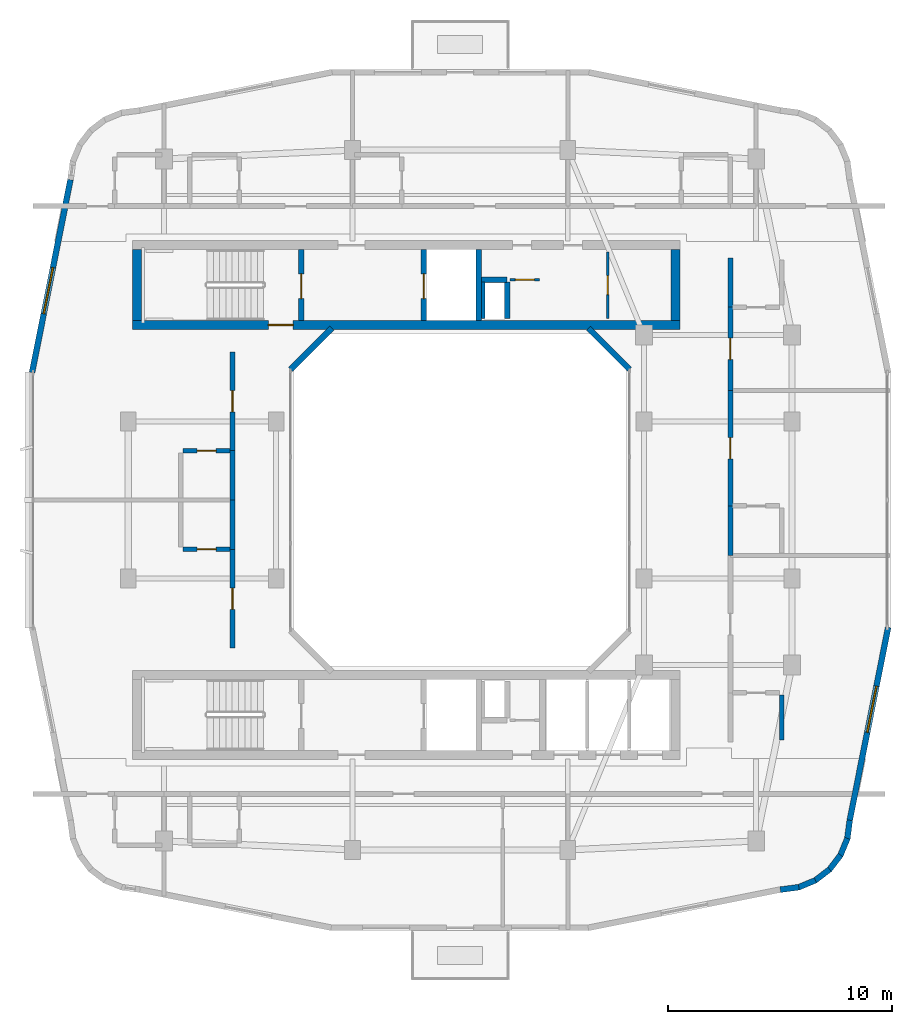
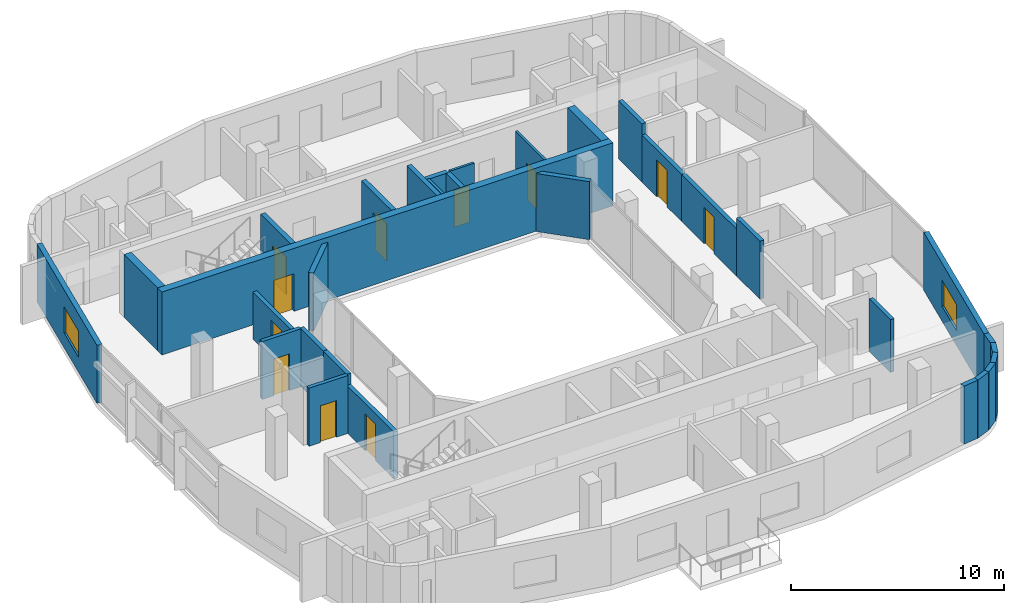
# One storey, part 7 of 13: 32 walls, 11 doors, 2 windows, 13 openings.
"""IFC4 building model written with IfcOpenShell, lengths in metres."""

from ifc_helpers import new_model, si_unit, derived_unit, direction, frame, frame_2d, origin, place, context, subcontext, project, spatial, rectangle, extrude, material, layer, layer_set, type_object, element, fill, save


model = new_model("IFC4")

# Units and contexts
model_context = context("Model", 3, precision=1e-05, world=origin(), true_north=direction((0.0, 1.0)))
body_context = subcontext(model_context, "Body", "Model", "MODEL_VIEW")
ifc_project = project(units=[si_unit("LENGTHUNIT", "METRE"), si_unit("AREAUNIT", "SQUARE_METRE"), si_unit("VOLUMEUNIT", "CUBIC_METRE"), si_unit("PLANEANGLEUNIT", "RADIAN"), si_unit("MASSUNIT", "GRAM", prefix="KILO"), derived_unit("THERMALTRANSMITTANCEUNIT", [(si_unit("POWERUNIT", "WATT"), 1), (si_unit("LENGTHUNIT", "METRE"), -2), (si_unit("THERMODYNAMICTEMPERATUREUNIT", "KELVIN"), -1)])], contexts=[model_context])

# Site, building, storey
site_placement = place(None, origin())
site = spatial("IfcSite", under=ifc_project, at=site_placement, CompositionType="ELEMENT")
building_placement = place(site_placement, origin())
building = spatial("IfcBuilding", under=site, at=building_placement, Name="Kivonza Crest Hotel", CompositionType="ELEMENT")
storey_placement = place(building_placement, frame((0.0, 0.0, 220.699951171875)))
storey = spatial("IfcBuildingStorey", under=building, at=storey_placement, Name="L60", CompositionType="ELEMENT", Elevation=220.699951171875)

# Wall
ifc_material_1 = material(Name="Autoclaved aerated concrete blockwork", Category="masonry")
ifc_layer_1 = layer(ifc_material_1, 0.219970703125)
ifc_layer_set_1 = layer_set([ifc_layer_1], Name="Autoclaved aerated concrete blockwork")
wall_type_1 = type_object("IfcWallType", Name="WL-ACOU-220", PredefinedType="SOLIDWALL", material=ifc_layer_set_1)
wall_1_placement = place(storey_placement, frame((10.85009765625, 22.800048828125, 0.0), z_axis=(0.0, 0.0, 1.0), x_axis=(0.0, 1.0, 0.0)))
element("IfcWall", 1, at=wall_1_placement, inside=storey, type_object=wall_type_1, Name="L60 interior partition WA-L60-W07-BCORR", PredefinedType="SOLIDWALL", context=body_context, shape_type="SweptSolid", body=[
    extrude(rectangle(XDim=2.199951171875, YDim=0.219970703125, at=frame_2d((1.10009765625, 0.0))), origin(), (0.0, 0.0, 1.0), 3.320068359375),
])

# Wall, opening, door
wall_2_placement = place(storey_placement, frame((10.85009765625, 18.39990234375, 0.0), z_axis=(0.0, 0.0, 1.0), x_axis=(0.0, 1.0, 0.0)))
wall_2 = element("IfcWall", 2, at=wall_2_placement, inside=storey, type_object=wall_type_1, Name="L60 interior partition WA-L60-W07-MCORR", PredefinedType="SOLIDWALL", context=body_context, shape_type="SweptSolid", body=[
    extrude(rectangle(XDim=4.400146484375, YDim=0.219970703125, at=frame_2d((2.2001953125, 0.0))), origin(), (0.0, 0.0, 1.0), 2.695068359375),
])
opening_1_placement = place(wall_2_placement, frame((1.72509765625, 0.0, 0.0)))
opening_1 = element("IfcOpeningElement", 3, at=opening_1_placement, cuts=wall_2, Name="Opening DU-60", PredefinedType="OPENING", context=body_context, shape_type="SweptSolid", body=[
    extrude(rectangle(XDim=0.949951171875, YDim=2.10009765625, at=frame_2d((0.47509765625, 1.050048828125))), frame((0.0, 0.1201171875, 0.0), z_axis=(0.0, -1.0, 0.0), x_axis=(1.0, 0.0, 0.0)), (0.0, 0.0, 1.0), 0.239990234375),
])
ifc_material_2 = material(Name="Hardwood timber oak", Category="wood")
door_type_1 = type_object("IfcDoorType", Name="DR-UNIT-950", OperationType="NOTDEFINED", PredefinedType="DOOR", material=ifc_material_2)
door_1_placement = place(opening_1_placement, origin())
door_1 = element("IfcDoor", 4, at=door_1_placement, inside=storey, type_object=door_type_1, Name="L60 W07 guest unit entrance fire door", OperationType="SINGLE_SWING_LEFT", OverallHeight=2.10009765625, OverallWidth=0.949951171875, PredefinedType="DOOR", context=body_context, shape_type="SweptSolid", body=[
    extrude(rectangle(XDim=0.949951171875, YDim=2.10009765625, at=frame_2d((0.47509765625, 1.050048828125))), frame((0.0, 0.02490234375, 0.0), z_axis=(0.0, -1.0, 0.0), x_axis=(1.0, 0.0, 0.0)), (0.0, 0.0, 1.0), 0.050048828125),
])
fill(opening_1, door_1)

# Wall
wall_3_placement = place(storey_placement, frame((10.85009765625, 25.0, 0.0), z_axis=(0.0, 0.0, 1.0), x_axis=(0.0, 1.0, 0.0)))
element("IfcWall", 5, at=wall_3_placement, inside=storey, type_object=wall_type_1, Name="L60 interior partition WA-L60-W08-BCORR", PredefinedType="SOLIDWALL", context=body_context, shape_type="SweptSolid", body=[
    extrude(rectangle(XDim=2.199951171875, YDim=0.219970703125, at=frame_2d((1.10009765625, 0.0))), origin(), (0.0, 0.0, 1.0), 3.320068359375),
])

# Wall, opening, door
wall_4_placement = place(storey_placement, frame((10.85009765625, 27.199951171875, 0.0), z_axis=(0.0, 0.0, 1.0), x_axis=(0.0, 1.0, 0.0)))
wall_4 = element("IfcWall", 6, at=wall_4_placement, inside=storey, type_object=wall_type_1, Name="L60 interior partition WA-L60-W08-MCORR", PredefinedType="SOLIDWALL", context=body_context, shape_type="SweptSolid", body=[
    extrude(rectangle(XDim=4.400146484375, YDim=0.219970703125, at=frame_2d((2.2001953125, 0.0))), origin(), (0.0, 0.0, 1.0), 2.695068359375),
])
opening_2_placement = place(wall_4_placement, frame((1.72509765625, 0.0, 0.0)))
opening_2 = element("IfcOpeningElement", 7, at=opening_2_placement, cuts=wall_4, Name="Opening DU-60", PredefinedType="OPENING", context=body_context, shape_type="SweptSolid", body=[
    extrude(rectangle(XDim=0.949951171875, YDim=2.10009765625, at=frame_2d((0.47509765625, 1.050048828125))), frame((0.0, 0.1201171875, 0.0), z_axis=(0.0, -1.0, 0.0), x_axis=(1.0, 0.0, 0.0)), (0.0, 0.0, 1.0), 0.239990234375),
])
door_2_placement = place(opening_2_placement, origin())
door_2 = element("IfcDoor", 8, at=door_2_placement, inside=storey, type_object=door_type_1, Name="L60 W08 guest unit entrance fire door", OperationType="SINGLE_SWING_RIGHT", OverallHeight=2.10009765625, OverallWidth=0.949951171875, PredefinedType="DOOR", context=body_context, shape_type="SweptSolid", body=[
    extrude(rectangle(XDim=0.949951171875, YDim=2.10009765625, at=frame_2d((0.47509765625, 1.050048828125))), frame((0.0, 0.02490234375, 0.0), z_axis=(0.0, -1.0, 0.0), x_axis=(1.0, 0.0, 0.0)), (0.0, 0.0, 1.0), 0.050048828125),
])
fill(opening_2, door_2)

# Wall
wall_5_placement = place(storey_placement, frame((33.050048828125, 22.533935546875, 0.0), z_axis=(0.0, 0.0, 1.0), x_axis=(0.0, 1.0, 0.0)))
element("IfcWall", 9, at=wall_5_placement, inside=storey, type_object=wall_type_1, Name="L60 interior partition WA-L60-E10-BCORR", PredefinedType="SOLIDWALL", context=body_context, shape_type="SweptSolid", body=[
    extrude(rectangle(XDim=2.199951171875, YDim=0.219970703125, at=frame_2d((1.10009765625, 0.0))), origin(), (0.0, 0.0, 1.0), 3.320068359375),
])

# Wall, opening, door
wall_6_placement = place(storey_placement, frame((33.050048828125, 24.73388671875, 0.0), z_axis=(0.0, 0.0, 1.0), x_axis=(0.0, 1.0, 0.0)))
wall_6 = element("IfcWall", 10, at=wall_6_placement, inside=storey, type_object=wall_type_1, Name="L60 interior partition WA-L60-E10-MCORR", PredefinedType="SOLIDWALL", context=body_context, shape_type="SweptSolid", body=[
    extrude(rectangle(XDim=5.14404296875, YDim=0.219970703125, at=frame_2d((2.572021484375, 0.0))), origin(), (0.0, 0.0, 1.0), 2.695068359375),
])
opening_3_placement = place(wall_6_placement, frame((2.096923828125, 0.0, 0.0)))
opening_3 = element("IfcOpeningElement", 11, at=opening_3_placement, cuts=wall_6, Name="Opening DU-60", PredefinedType="OPENING", context=body_context, shape_type="SweptSolid", body=[
    extrude(rectangle(XDim=0.949951171875, YDim=2.10009765625, at=frame_2d((0.47509765625, 1.050048828125))), frame((0.0, 0.1201171875, 0.0), z_axis=(0.0, -1.0, 0.0), x_axis=(1.0, 0.0, 0.0)), (0.0, 0.0, 1.0), 0.239990234375),
])
door_3_placement = place(opening_3_placement, frame((0.949951171875, 0.0, 0.0), z_axis=(0.0, 0.0, 1.0), x_axis=(-1.0, 0.0, 0.0)))
door_3 = element("IfcDoor", 12, at=door_3_placement, inside=storey, type_object=door_type_1, Name="L60 E10 guest unit entrance fire door", OperationType="SINGLE_SWING_RIGHT", OverallHeight=2.10009765625, OverallWidth=0.949951171875, PredefinedType="DOOR", context=body_context, shape_type="SweptSolid", body=[
    extrude(rectangle(XDim=0.949951171875, YDim=2.10009765625, at=frame_2d((0.47509765625, 1.050048828125))), frame((0.0, 0.02490234375, 0.0), z_axis=(0.0, -1.0, 0.0), x_axis=(1.0, 0.0, 0.0)), (0.0, 0.0, 1.0), 0.050048828125),
])
fill(opening_3, door_3)

# Wall
wall_7_placement = place(storey_placement, frame((33.050048828125, 33.60009765625, 0.0), z_axis=(0.0, 0.0, 1.0), x_axis=(0.0, 1.0, 0.0)))
element("IfcWall", 13, at=wall_7_placement, inside=storey, type_object=wall_type_1, Name="L60 interior partition WA-L60-E11-BCORR", PredefinedType="SOLIDWALL", context=body_context, shape_type="SweptSolid", body=[
    extrude(rectangle(XDim=2.199951171875, YDim=0.219970703125, at=frame_2d((1.10009765625, 0.0))), origin(), (0.0, 0.0, 1.0), 3.320068359375),
])

# Wall, opening, door
wall_8_placement = place(storey_placement, frame((33.050048828125, 29.8779296875, 0.0), z_axis=(0.0, 0.0, 1.0), x_axis=(0.0, 1.0, 0.0)))
wall_8 = element("IfcWall", 14, at=wall_8_placement, inside=storey, type_object=wall_type_1, Name="L60 interior partition WA-L60-E11-MCORR", PredefinedType="SOLIDWALL", context=body_context, shape_type="SweptSolid", body=[
    extrude(rectangle(XDim=3.72216796875, YDim=0.219970703125, at=frame_2d((1.861083984375, 0.0))), origin(), (0.0, 0.0, 1.0), 2.695068359375),
])
opening_4_placement = place(wall_8_placement, frame((1.385986328125, 0.0, 0.0)))
opening_4 = element("IfcOpeningElement", 15, at=opening_4_placement, cuts=wall_8, Name="Opening DU-60", PredefinedType="OPENING", context=body_context, shape_type="SweptSolid", body=[
    extrude(rectangle(XDim=0.949951171875, YDim=2.10009765625, at=frame_2d((0.47509765625, 1.050048828125))), frame((0.0, 0.1201171875, 0.0), z_axis=(0.0, -1.0, 0.0), x_axis=(1.0, 0.0, 0.0)), (0.0, 0.0, 1.0), 0.239990234375),
])
door_4_placement = place(opening_4_placement, frame((0.949951171875, 0.0, 0.0), z_axis=(0.0, 0.0, 1.0), x_axis=(-1.0, 0.0, 0.0)))
door_4 = element("IfcDoor", 16, at=door_4_placement, inside=storey, type_object=door_type_1, Name="L60 E11 guest unit entrance fire door", OperationType="SINGLE_SWING_LEFT", OverallHeight=2.10009765625, OverallWidth=0.949951171875, PredefinedType="DOOR", context=body_context, shape_type="SweptSolid", body=[
    extrude(rectangle(XDim=0.949951171875, YDim=2.10009765625, at=frame_2d((0.47509765625, 1.050048828125))), frame((0.0, 0.02490234375, 0.0), z_axis=(0.0, -1.0, 0.0), x_axis=(1.0, 0.0, 0.0)), (0.0, 0.0, 1.0), 0.050048828125),
])
fill(opening_4, door_4)

ifc_material_3 = material(Name="Concrete C50/60", Category="concrete")
ifc_layer_2 = layer(ifc_material_3, 0.39990234375)
ifc_layer_set_2 = layer_set([ifc_layer_2], Name="Concrete C50/60")
wall_type_2 = type_object("IfcWallType", Name="WL-CORE-400", PredefinedType="SHEAR", material=ifc_layer_set_2)
wall_9_placement = place(storey_placement, frame((6.39990234375, 32.800048828125, 0.0), z_axis=(0.0, 0.0, 1.0), x_axis=(1.0, 0.0, 0.0)))
wall_9 = element("IfcWall", 17, at=wall_9_placement, inside=storey, type_object=wall_type_2, Name="Core wall T1-N South L60", PredefinedType="SHEAR", context=body_context, shape_type="SweptSolid", body=[
    extrude(rectangle(XDim=24.400146484375, YDim=0.39990234375, at=frame_2d((12.2001953125, 0.0))), origin(), (0.0, 0.0, 1.0), 3.60009765625),
])
opening_5_placement = place(wall_9_placement, frame((6.050048828125, 0.0, 0.0)))
opening_5 = element("IfcOpeningElement", 18, at=opening_5_placement, cuts=wall_9, Name="Opening DF-120", PredefinedType="OPENING", context=body_context, shape_type="SweptSolid", body=[
    extrude(rectangle(XDim=1.10009765625, YDim=2.14990234375, at=frame_2d((0.550048828125, 1.074951171875))), frame((0.0, 0.2099609375, 0.0), z_axis=(0.0, -1.0, 0.0), x_axis=(1.0, 0.0, 0.0)), (0.0, 0.0, 1.0), 0.419921875),
])
ifc_material_4 = material(Name="Galvanised steel", Category="steel")
door_type_2 = type_object("IfcDoorType", Name="DR-FD120-1100", OperationType="NOTDEFINED", PredefinedType="DOOR", material=ifc_material_4)
door_5_placement = place(opening_5_placement, origin())
door_5 = element("IfcDoor", 19, at=door_5_placement, inside=storey, type_object=door_type_2, Name="L60 West corridor stair access fire door", OperationType="SINGLE_SWING_LEFT", OverallHeight=2.14990234375, OverallWidth=1.10009765625, PredefinedType="DOOR", context=body_context, shape_type="SweptSolid", body=[
    extrude(rectangle(XDim=1.10009765625, YDim=2.14990234375, at=frame_2d((0.550048828125, 1.074951171875))), frame((0.0, 0.02490234375, 0.0), z_axis=(0.0, -1.0, 0.0), x_axis=(1.0, 0.0, 0.0)), (0.0, 0.0, 1.0), 0.050048828125),
])
fill(opening_5, door_5)

# Walls
for number, where, z_axis, x_axis, name in (
    (20, (6.60009765625, 33.0, 0.0), (0.0, 0.0, 1.0), (0.0, 1.0, 0.0), "Core wall T1-N West L60"),
    (21, (30.60009765625, 33.0, 0.0), (0.0, 0.0, 1.0), (0.0, 1.0, 0.0), "Core wall T1-N East L60"),
):
    element("IfcWall", number, at=place(storey_placement, frame(where, z_axis=z_axis, x_axis=x_axis)), inside=storey, type_object=wall_type_2, Name=name, PredefinedType="SHEAR", context=body_context, shape_type="SweptSolid", body=[
        extrude(rectangle(XDim=3.159912109375, YDim=0.39990234375, at=frame_2d((1.580078125, 0.0))), origin(), (0.0, 0.0, 1.0), 3.60009765625),
    ])
ifc_material_5 = material(Name="Precast concrete C40/50", Category="concrete")
ifc_layer_3 = layer(ifc_material_5, 0.260009765625)
ifc_layer_set_3 = layer_set([ifc_layer_3], Name="Precast concrete C40/50")
wall_type_3 = type_object("IfcWallType", Name="WL-EXT-260", PredefinedType="STANDARD", material=ifc_layer_set_3)
wall_10_placement = place(storey_placement, frame((35.27490234375, 7.6279296875, 0.0), z_axis=(0.0, 0.0, 1.0), x_axis=(0.9913883573, 0.130954667764, 0.0)))
element("IfcWall", 22, at=wall_10_placement, inside=storey, type_object=wall_type_3, Name="L60 T1 exterior insulated wall 10", PredefinedType="STANDARD", context=body_context, shape_type="SweptSolid", body=[
    extrude(rectangle(XDim=0.833251953125, YDim=0.260009765625, at=frame_2d((0.41650390625, 0.0))), origin(), (0.0, 0.0, 1.0), 3.320068359375),
])
wall_11_placement = place(storey_placement, frame((36.054931640625, 7.718994140625, 0.0), z_axis=(0.0, 0.0, 1.0), x_axis=(0.923754491172, 0.382985169477, 0.0)))
element("IfcWall", 23, at=wall_11_placement, inside=storey, type_object=wall_type_3, Name="L60 T1 exterior insulated wall 11", PredefinedType="STANDARD", context=body_context, shape_type="SweptSolid", body=[
    extrude(rectangle(XDim=0.85107421875, YDim=0.260009765625, at=frame_2d((0.425537109375, 0.0))), origin(), (0.0, 0.0, 1.0), 3.320068359375),
])
for number, where, z_axis, x_axis, name in (
    (24, (36.801025390625, 8.01708984375, 0.0), (0.0, 0.0, 1.0), (0.793999057278, 0.607918988881, 0.0), "L60 T1 exterior insulated wall 12"),
    (25, (37.445068359375, 8.49609375, 0.0), (0.0, 0.0, 1.0), (0.608057619941, 0.793892896323, 0.0), "L60 T1 exterior insulated wall 13"),
):
    element("IfcWall", number, at=place(storey_placement, frame(where, z_axis=z_axis, x_axis=x_axis)), inside=storey, type_object=wall_type_3, Name=name, PredefinedType="STANDARD", context=body_context, shape_type="SweptSolid", body=[
        extrude(rectangle(XDim=0.85009765625, YDim=0.260009765625, at=frame_2d((0.425048828125, 0.0))), origin(), (0.0, 0.0, 1.0), 3.320068359375),
    ])
wall_12_placement = place(storey_placement, frame((37.94091796875, 9.126953125, 0.0), z_axis=(0.0, 0.0, 1.0), x_axis=(0.383229930484, 0.923652976167, 0.0)))
element("IfcWall", 26, at=wall_12_placement, inside=storey, type_object=wall_type_3, Name="L60 T1 exterior insulated wall 14", PredefinedType="STANDARD", context=body_context, shape_type="SweptSolid", body=[
    extrude(rectangle(XDim=0.85107421875, YDim=0.260009765625, at=frame_2d((0.425537109375, 0.0))), origin(), (0.0, 0.0, 1.0), 3.320068359375),
])
wall_13_placement = place(storey_placement, frame((38.259033203125, 9.864013671875, 0.0), z_axis=(0.0, 0.0, 1.0), x_axis=(0.130156359936, 0.991493480548, 0.0)))
element("IfcWall", 27, at=wall_13_placement, inside=storey, type_object=wall_type_3, Name="L60 T1 exterior insulated wall 15", PredefinedType="STANDARD", context=body_context, shape_type="SweptSolid", body=[
    extrude(rectangle(XDim=0.868408203125, YDim=0.260009765625, at=frame_2d((0.43408203125, 0.0))), origin(), (0.0, 0.0, 1.0), 3.320068359375),
])

# Wall, opening, window
wall_14_placement = place(storey_placement, frame((38.37109375, 10.717041015625, 0.0), z_axis=(0.0, 0.0, 1.0), x_axis=(0.195291715883, 0.980745199176, 0.0)))
wall_14 = element("IfcWall", 28, at=wall_14_placement, inside=storey, type_object=wall_type_3, Name="L60 T1 exterior insulated wall 16", PredefinedType="STANDARD", context=body_context, shape_type="SweptSolid", body=[
    extrude(rectangle(XDim=8.77099609375, YDim=0.260009765625, at=frame_2d((4.385498046875, 0.0))), origin(), (0.0, 0.0, 1.0), 3.320068359375),
])
opening_6_placement = place(wall_14_placement, frame((4.0, 0.0, 0.85009765625)))
opening_6 = element("IfcOpeningElement", 29, at=opening_6_placement, cuts=wall_14, Name="Opening WN-04", PredefinedType="OPENING", context=body_context, shape_type="SweptSolid", body=[
    extrude(rectangle(XDim=2.10009765625, YDim=1.5, at=frame_2d((1.050048828125, 0.75))), frame((0.0, 0.14013671875, 0.0), z_axis=(0.0, -1.0, 0.0), x_axis=(1.0, 0.0, 0.0)), (0.0, 0.0, 1.0), 0.280029296875),
])
ifc_material_6 = material(Name="Thermally broken bronze aluminium and low-E double glazing", Category="aluminium")
window_type = type_object("IfcWindowType", Name="WN-210x150", PartitioningType="DOUBLE_PANEL_VERTICAL", PredefinedType="WINDOW", material=ifc_material_6)
window_1_placement = place(opening_6_placement, origin())
window_1 = element("IfcWindow", 30, at=window_1_placement, inside=storey, type_object=window_type, Name="L60 T1 facade window 16", OverallHeight=1.5, OverallWidth=2.10009765625, PartitioningType="SINGLE_PANEL", PredefinedType="WINDOW", context=body_context, shape_type="SweptSolid", body=[
    extrude(rectangle(XDim=2.10009765625, YDim=1.5, at=frame_2d((1.050048828125, 0.75))), frame((0.0, 0.030029296875, 0.0), z_axis=(0.0, -1.0, 0.0), x_axis=(1.0, 0.0, 0.0)), (0.0, 0.0, 1.0), 0.06005859375),
])
fill(opening_6, window_1)

wall_15_placement = place(storey_placement, frame((3.62890625, 39.282958984375, 0.0), z_axis=(0.0, 0.0, 1.0), x_axis=(-0.195291715883, -0.980745199176, 0.0)))
wall_15 = element("IfcWall", 31, at=wall_15_placement, inside=storey, type_object=wall_type_3, Name="L60 T1 exterior insulated wall 34", PredefinedType="STANDARD", context=body_context, shape_type="SweptSolid", body=[
    extrude(rectangle(XDim=8.77099609375, YDim=0.260009765625, at=frame_2d((4.385498046875, 0.0))), origin(), (0.0, 0.0, 1.0), 3.320068359375),
])
opening_7_placement = place(wall_15_placement, frame((4.0, 0.0, 0.85009765625)))
opening_7 = element("IfcOpeningElement", 32, at=opening_7_placement, cuts=wall_15, Name="Opening WN-04", PredefinedType="OPENING", context=body_context, shape_type="SweptSolid", body=[
    extrude(rectangle(XDim=2.10009765625, YDim=1.5, at=frame_2d((1.050048828125, 0.75))), frame((0.0, 0.14013671875, 0.0), z_axis=(0.0, -1.0, 0.0), x_axis=(1.0, 0.0, 0.0)), (0.0, 0.0, 1.0), 0.280029296875),
])
window_2_placement = place(opening_7_placement, origin())
window_2 = element("IfcWindow", 33, at=window_2_placement, inside=storey, type_object=window_type, Name="L60 T1 facade window 34", OverallHeight=1.5, OverallWidth=2.10009765625, PartitioningType="SINGLE_PANEL", PredefinedType="WINDOW", context=body_context, shape_type="SweptSolid", body=[
    extrude(rectangle(XDim=2.10009765625, YDim=1.5, at=frame_2d((1.050048828125, 0.75))), frame((0.0, 0.030029296875, 0.0), z_axis=(0.0, -1.0, 0.0), x_axis=(1.0, 0.0, 0.0)), (0.0, 0.0, 1.0), 0.06005859375),
])
fill(opening_7, window_2)

# Walls
for number, where, z_axis, x_axis, name in (
    (34, (28.555908203125, 30.827880859375, 0.0), (0.0, 0.0, 1.0), (-0.707059717605, 0.707153841636, 0.0), "L60 T1 light-well exterior wall 4"),
    (35, (15.278076171875, 32.662109375, 0.0), (0.0, 0.0, 1.0), (-0.707059717605, -0.707153841636, 0.0), "L60 T1 light-well exterior wall 6"),
):
    element("IfcWall", number, at=place(storey_placement, frame(where, z_axis=z_axis, x_axis=x_axis)), inside=storey, type_object=wall_type_3, Name=name, PredefinedType="STANDARD", context=body_context, shape_type="SweptSolid", body=[
        extrude(rectangle(XDim=2.59375, YDim=0.260009765625, at=frame_2d((1.296875, 0.0))), origin(), (0.0, 0.0, 1.0), 3.320068359375),
    ])
ifc_material_7 = material(Name="Concrete blockwork fire-compartment wall", Category="masonry")
ifc_layer_4 = layer(ifc_material_7, 0.25)
ifc_layer_set_4 = layer_set([ifc_layer_4], Name="Concrete blockwork fire-compartment wall")
wall_type_4 = type_object("IfcWallType", Name="WL-FIRE-250", PredefinedType="SOLIDWALL", material=ifc_layer_set_4)
wall_16_placement = place(storey_placement, frame((23.10009765625, 33.10009765625, 0.0), z_axis=(0.0, 0.0, 1.0), x_axis=(0.0, 1.0, 0.0)))
element("IfcWall", 36, at=wall_16_placement, inside=storey, type_object=wall_type_4, Name="L60 interior partition WA-L60-T1-N-MEPR-E", PredefinedType="SOLIDWALL", context=body_context, shape_type="SweptSolid", body=[
    extrude(rectangle(XDim=1.619873046875, YDim=0.25, at=frame_2d((0.81005859375, 0.0))), origin(), (0.0, 0.0, 1.0), 3.320068359375),
])
wall_17_placement = place(storey_placement, frame((21.949951171875, 34.820068359375, 0.0), z_axis=(0.0, 0.0, 1.0), x_axis=(1.0, 0.0, 0.0)))
element("IfcWall", 37, at=wall_17_placement, inside=storey, type_object=wall_type_4, Name="L60 interior partition WA-L60-T1-N-MEPR-H", PredefinedType="SOLIDWALL", context=body_context, shape_type="SweptSolid", body=[
    extrude(rectangle(XDim=1.150146484375, YDim=0.25, at=frame_2d((0.5751953125, 0.0))), origin(), (0.0, 0.0, 1.0), 3.320068359375),
])

# Wall, opening, door
ifc_material_8 = material(Name="Metal-stud gypsum board partition", Category="gypsum")
ifc_layer_5 = layer(ifc_material_8, 0.125)
ifc_layer_set_5 = layer_set([ifc_layer_5], Name="Metal-stud gypsum board partition")
wall_type_5 = type_object("IfcWallType", Name="WL-PART-125", PredefinedType="PARTITIONING", material=ifc_layer_set_5)
wall_18_placement = place(storey_placement, frame((27.580078125, 33.10009765625, 0.0), z_axis=(0.0, 0.0, 1.0), x_axis=(0.0, 1.0, 0.0)))
wall_18 = element("IfcWall", 38, at=wall_18_placement, inside=storey, type_object=wall_type_5, Name="L60 interior partition WP-L60-T1-N-RECL", PredefinedType="PARTITIONING", context=body_context, shape_type="SweptSolid", body=[
    extrude(rectangle(XDim=2.9599609375, YDim=0.125, at=frame_2d((1.47998046875, 0.0))), origin(), (0.0, 0.0, 1.0), 3.320068359375),
])
opening_8_placement = place(wall_18_placement, frame((1.054931640625, 0.0, 0.0)))
opening_8 = element("IfcOpeningElement", 39, at=opening_8_placement, cuts=wall_18, Name="Opening DI-85", PredefinedType="OPENING", context=body_context, shape_type="SweptSolid", body=[
    extrude(rectangle(XDim=0.85009765625, YDim=2.10009765625, at=frame_2d((0.425048828125, 1.050048828125))), frame((0.0, 0.072509765625, 0.0), z_axis=(0.0, -1.0, 0.0), x_axis=(1.0, 0.0, 0.0)), (0.0, 0.0, 1.0), 0.14501953125),
])
door_type_3 = type_object("IfcDoorType", Name="DR-INT-850", OperationType="NOTDEFINED", PredefinedType="DOOR", material=ifc_material_2)
door_6_placement = place(opening_8_placement, origin())
door_6 = element("IfcDoor", 40, at=door_6_placement, inside=storey, type_object=door_type_3, Name="L60 T1-N reclaimed inner pantry door", OperationType="SINGLE_SWING_LEFT", OverallHeight=2.10009765625, OverallWidth=0.85009765625, PredefinedType="DOOR", context=body_context, shape_type="SweptSolid", body=[
    extrude(rectangle(XDim=0.85009765625, YDim=2.10009765625, at=frame_2d((0.425048828125, 1.050048828125))), frame((0.0, 0.02490234375, 0.0), z_axis=(0.0, -1.0, 0.0), x_axis=(1.0, 0.0, 0.0)), (0.0, 0.0, 1.0), 0.050048828125),
])
fill(opening_8, door_6)

wall_19_placement = place(storey_placement, frame((23.219970703125, 34.820068359375, 0.0), z_axis=(0.0, 0.0, 1.0), x_axis=(1.0, 0.0, 0.0)))
wall_19 = element("IfcWall", 41, at=wall_19_placement, inside=storey, type_object=wall_type_5, Name="L60 interior partition WP-L60-T1-N-SV3H", PredefinedType="PARTITIONING", context=body_context, shape_type="SweptSolid", body=[
    extrude(rectangle(XDim=1.330078125, YDim=0.125, at=frame_2d((0.6650390625, 0.0))), origin(), (0.0, 0.0, 1.0), 3.320068359375),
])
opening_9_placement = place(wall_19_placement, frame((0.239990234375, 0.0, 0.0)))
opening_9 = element("IfcOpeningElement", 42, at=opening_9_placement, cuts=wall_19, Name="Opening DI-85", PredefinedType="OPENING", context=body_context, shape_type="SweptSolid", body=[
    extrude(rectangle(XDim=0.85009765625, YDim=2.10009765625, at=frame_2d((0.425048828125, 1.050048828125))), frame((0.0, 0.072509765625, 0.0), z_axis=(0.0, -1.0, 0.0), x_axis=(1.0, 0.0, 0.0)), (0.0, 0.0, 1.0), 0.14501953125),
])
door_7_placement = place(opening_9_placement, origin())
door_7 = element("IfcDoor", 43, at=door_7_placement, inside=storey, type_object=door_type_3, Name="L60 T1-N inner manifold door", OperationType="SINGLE_SWING_LEFT", OverallHeight=2.10009765625, OverallWidth=0.85009765625, PredefinedType="DOOR", context=body_context, shape_type="SweptSolid", body=[
    extrude(rectangle(XDim=0.85009765625, YDim=2.10009765625, at=frame_2d((0.425048828125, 1.050048828125))), frame((0.0, 0.02490234375, 0.0), z_axis=(0.0, -1.0, 0.0), x_axis=(1.0, 0.0, 0.0)), (0.0, 0.0, 1.0), 0.050048828125),
])
fill(opening_9, door_7)

# Wall
ifc_material_9 = material(Name="Twin-stud acoustic gypsum board partition", Category="gypsum")
ifc_layer_6 = layer(ifc_material_9, 0.14990234375)
ifc_layer_set_6 = layer_set([ifc_layer_6], Name="Twin-stud acoustic gypsum board partition")
wall_type_6 = type_object("IfcWallType", Name="WL-PART-150", PredefinedType="PARTITIONING", material=ifc_layer_set_6)
wall_20_placement = place(storey_placement, frame((22.030029296875, 33.10009765625, 0.0), z_axis=(0.0, 0.0, 1.0), x_axis=(0.0, 1.0, 0.0)))
element("IfcWall", 44, at=wall_20_placement, inside=storey, type_object=wall_type_6, Name="L60 interior partition WA-L60-T1-N-MEPR-W", PredefinedType="PARTITIONING", context=body_context, shape_type="SweptSolid", body=[
    extrude(rectangle(XDim=1.619873046875, YDim=0.14990234375, at=frame_2d((0.81005859375, 0.0))), origin(), (0.0, 0.0, 1.0), 3.320068359375),
])

# Wall, opening, door
ifc_material_10 = material(Name="Moisture-resistant plumbing chase partition wall", Category="gypsum")
ifc_layer_7 = layer(ifc_material_10, 0.199951171875)
ifc_layer_set_7 = layer_set([ifc_layer_7], Name="Moisture-resistant plumbing chase partition wall")
wall_type_7 = type_object("IfcWallType", Name="WL-PLUMB-200", PredefinedType="PLUMBINGWALL", material=ifc_layer_set_7)
wall_21_placement = place(storey_placement, frame((8.64990234375, 22.800048828125, 0.0), z_axis=(0.0, 0.0, 1.0), x_axis=(1.0, 0.0, 0.0)))
wall_21 = element("IfcWall", 45, at=wall_21_placement, inside=storey, type_object=wall_type_7, Name="L60 interior partition WW-L60-W07-BH", PredefinedType="PLUMBINGWALL", context=body_context, shape_type="SweptSolid", body=[
    extrude(rectangle(XDim=2.10009765625, YDim=0.199951171875, at=frame_2d((1.050048828125, 0.0))), origin(), (0.0, 0.0, 1.0), 3.320068359375),
])
opening_10_placement = place(wall_21_placement, frame((0.625, 0.0, 0.0)))
opening_10 = element("IfcOpeningElement", 46, at=opening_10_placement, cuts=wall_21, Name="Opening DI-85", PredefinedType="OPENING", context=body_context, shape_type="SweptSolid", body=[
    extrude(rectangle(XDim=0.85009765625, YDim=2.10009765625, at=frame_2d((0.425048828125, 1.050048828125))), frame((0.0, 0.10986328125, 0.0), z_axis=(0.0, -1.0, 0.0), x_axis=(1.0, 0.0, 0.0)), (0.0, 0.0, 1.0), 0.219970703125),
])
door_8_placement = place(opening_10_placement, frame((0.85009765625, 0.0, 0.0), z_axis=(0.0, 0.0, 1.0), x_axis=(-1.0, 0.0, 0.0)))
door_8 = element("IfcDoor", 47, at=door_8_placement, inside=storey, type_object=door_type_3, Name="L60 W07 en-suite bathroom door", OperationType="SINGLE_SWING_RIGHT", OverallHeight=2.10009765625, OverallWidth=0.85009765625, PredefinedType="DOOR", context=body_context, shape_type="SweptSolid", body=[
    extrude(rectangle(XDim=0.85009765625, YDim=2.10009765625, at=frame_2d((0.425048828125, 1.050048828125))), frame((0.0, 0.02490234375, 0.0), z_axis=(0.0, -1.0, 0.0), x_axis=(1.0, 0.0, 0.0)), (0.0, 0.0, 1.0), 0.050048828125),
])
fill(opening_10, door_8)

wall_22_placement = place(storey_placement, frame((8.64990234375, 27.199951171875, 0.0), z_axis=(0.0, 0.0, 1.0), x_axis=(1.0, 0.0, 0.0)))
wall_22 = element("IfcWall", 48, at=wall_22_placement, inside=storey, type_object=wall_type_7, Name="L60 interior partition WW-L60-W08-BH", PredefinedType="PLUMBINGWALL", context=body_context, shape_type="SweptSolid", body=[
    extrude(rectangle(XDim=2.10009765625, YDim=0.199951171875, at=frame_2d((1.050048828125, 0.0))), origin(), (0.0, 0.0, 1.0), 3.320068359375),
])
opening_11_placement = place(wall_22_placement, frame((0.625, 0.0, 0.0)))
opening_11 = element("IfcOpeningElement", 49, at=opening_11_placement, cuts=wall_22, Name="Opening DI-85", PredefinedType="OPENING", context=body_context, shape_type="SweptSolid", body=[
    extrude(rectangle(XDim=0.85009765625, YDim=2.10009765625, at=frame_2d((0.425048828125, 1.050048828125))), frame((0.0, 0.10986328125, 0.0), z_axis=(0.0, -1.0, 0.0), x_axis=(1.0, 0.0, 0.0)), (0.0, 0.0, 1.0), 0.219970703125),
])
door_9_placement = place(opening_11_placement, origin())
door_9 = element("IfcDoor", 50, at=door_9_placement, inside=storey, type_object=door_type_3, Name="L60 W08 en-suite bathroom door", OperationType="SINGLE_SWING_LEFT", OverallHeight=2.10009765625, OverallWidth=0.85009765625, PredefinedType="DOOR", context=body_context, shape_type="SweptSolid", body=[
    extrude(rectangle(XDim=0.85009765625, YDim=2.10009765625, at=frame_2d((0.425048828125, 1.050048828125))), frame((0.0, 0.02490234375, 0.0), z_axis=(0.0, -1.0, 0.0), x_axis=(1.0, 0.0, 0.0)), (0.0, 0.0, 1.0), 0.050048828125),
])
fill(opening_11, door_9)

# Wall
wall_23_placement = place(storey_placement, frame((35.35009765625, 14.300048828125, 0.0), z_axis=(0.0, 0.0, 1.0), x_axis=(0.0, 1.0, 0.0)))
element("IfcWall", 51, at=wall_23_placement, inside=storey, type_object=wall_type_7, Name="L60 interior partition WW-L60-E09-BV", PredefinedType="PLUMBINGWALL", context=body_context, shape_type="SweptSolid", body=[
    extrude(rectangle(XDim=2.0, YDim=0.199951171875, at=frame_2d((1.0, 0.0))), origin(), (0.0, 0.0, 1.0), 3.01513671875),
])

# Wall, opening, door
ifc_layer_8 = layer(ifc_material_3, 0.25)
ifc_layer_set_8 = layer_set([ifc_layer_8], Name="Concrete C50/60")
wall_type_8 = type_object("IfcWallType", Name="WL-SHAFT-250", PredefinedType="STANDARD", material=ifc_layer_set_8)
wall_24_placement = place(storey_placement, frame((13.925048828125, 33.0, 0.0), z_axis=(0.0, 0.0, 1.0), x_axis=(0.0, 1.0, 0.0)))
wall_24 = element("IfcWall", 52, at=wall_24_placement, inside=storey, type_object=wall_type_8, Name="Core shaft wall T1-N STAIR L60", PredefinedType="STANDARD", context=body_context, shape_type="SweptSolid", body=[
    extrude(rectangle(XDim=3.159912109375, YDim=0.25, at=frame_2d((1.580078125, 0.0))), origin(), (0.0, 0.0, 1.0), 3.320068359375),
])
opening_12_placement = place(wall_24_placement, frame((0.97998046875, 0.0, 0.0)))
opening_12 = element("IfcOpeningElement", 53, at=opening_12_placement, cuts=wall_24, Name="Opening DF-120", PredefinedType="OPENING", context=body_context, shape_type="SweptSolid", body=[
    extrude(rectangle(XDim=1.10009765625, YDim=2.14990234375, at=frame_2d((0.550048828125, 1.074951171875))), frame((0.0, 0.135009765625, 0.0), z_axis=(0.0, -1.0, 0.0), x_axis=(1.0, 0.0, 0.0)), (0.0, 0.0, 1.0), 0.27001953125),
])
door_10_placement = place(opening_12_placement, frame((1.10009765625, 0.0, 0.0), z_axis=(0.0, 0.0, 1.0), x_axis=(-1.0, 0.0, 0.0)))
door_10 = element("IfcDoor", 54, at=door_10_placement, inside=storey, type_object=door_type_2, Name="L60 T1-N stair fire door", OperationType="SINGLE_SWING_LEFT", OverallHeight=2.14990234375, OverallWidth=1.10009765625, PredefinedType="DOOR", context=body_context, shape_type="SweptSolid", body=[
    extrude(rectangle(XDim=1.10009765625, YDim=2.14990234375, at=frame_2d((0.550048828125, 1.074951171875))), frame((0.0, 0.02490234375, 0.0), z_axis=(0.0, -1.0, 0.0), x_axis=(1.0, 0.0, 0.0)), (0.0, 0.0, 1.0), 0.050048828125),
])
fill(opening_12, door_10)

wall_25_placement = place(storey_placement, frame((19.375, 33.0, 0.0), z_axis=(0.0, 0.0, 1.0), x_axis=(0.0, 1.0, 0.0)))
wall_25 = element("IfcWall", 55, at=wall_25_placement, inside=storey, type_object=wall_type_8, Name="Core shaft wall T1-N FFL-W L60", PredefinedType="STANDARD", context=body_context, shape_type="SweptSolid", body=[
    extrude(rectangle(XDim=3.159912109375, YDim=0.25, at=frame_2d((1.580078125, 0.0))), origin(), (0.0, 0.0, 1.0), 3.320068359375),
])
opening_13_placement = place(wall_25_placement, frame((0.97998046875, 0.0, 0.0)))
opening_13 = element("IfcOpeningElement", 56, at=opening_13_placement, cuts=wall_25, Name="Opening LD-120", PredefinedType="OPENING", context=body_context, shape_type="SweptSolid", body=[
    extrude(rectangle(XDim=1.10009765625, YDim=2.14990234375, at=frame_2d((0.550048828125, 1.074951171875))), frame((0.0, 0.135009765625, 0.0), z_axis=(0.0, -1.0, 0.0), x_axis=(1.0, 0.0, 0.0)), (0.0, 0.0, 1.0), 0.27001953125),
])
ifc_material_11 = material(Name="Stainless steel", Category="steel")
door_type_4 = type_object("IfcDoorType", Name="DR-LD120-1100", OperationType="NOTDEFINED", PredefinedType="DOOR", material=ifc_material_11)
door_11_placement = place(opening_13_placement, origin())
door_11 = element("IfcDoor", 57, at=door_11_placement, inside=storey, type_object=door_type_4, Name="L60 FFL-T1-N firefighting lift sliding landing door", OperationType="DOUBLE_DOOR_SLIDING", OverallHeight=2.14990234375, OverallWidth=1.10009765625, PredefinedType="DOOR", context=body_context, shape_type="SweptSolid", body=[
    extrude(rectangle(XDim=1.10009765625, YDim=2.14990234375, at=frame_2d((0.550048828125, 1.074951171875))), frame((0.0, 0.02490234375, 0.0), z_axis=(0.0, -1.0, 0.0), x_axis=(1.0, 0.0, 0.0)), (0.0, 0.0, 1.0), 0.050048828125),
])
fill(opening_13, door_11)

# Wall
wall_26_placement = place(storey_placement, frame((21.824951171875, 33.0, 0.0), z_axis=(0.0, 0.0, 1.0), x_axis=(0.0, 1.0, 0.0)))
element("IfcWall", 58, at=wall_26_placement, inside=storey, type_object=wall_type_8, Name="Core shaft wall T1-N FFL-E L60", PredefinedType="STANDARD", context=body_context, shape_type="SweptSolid", body=[
    extrude(rectangle(XDim=3.159912109375, YDim=0.25, at=frame_2d((1.580078125, 0.0))), origin(), (0.0, 0.0, 1.0), 3.320068359375),
])

save(model, "model.ifc")
